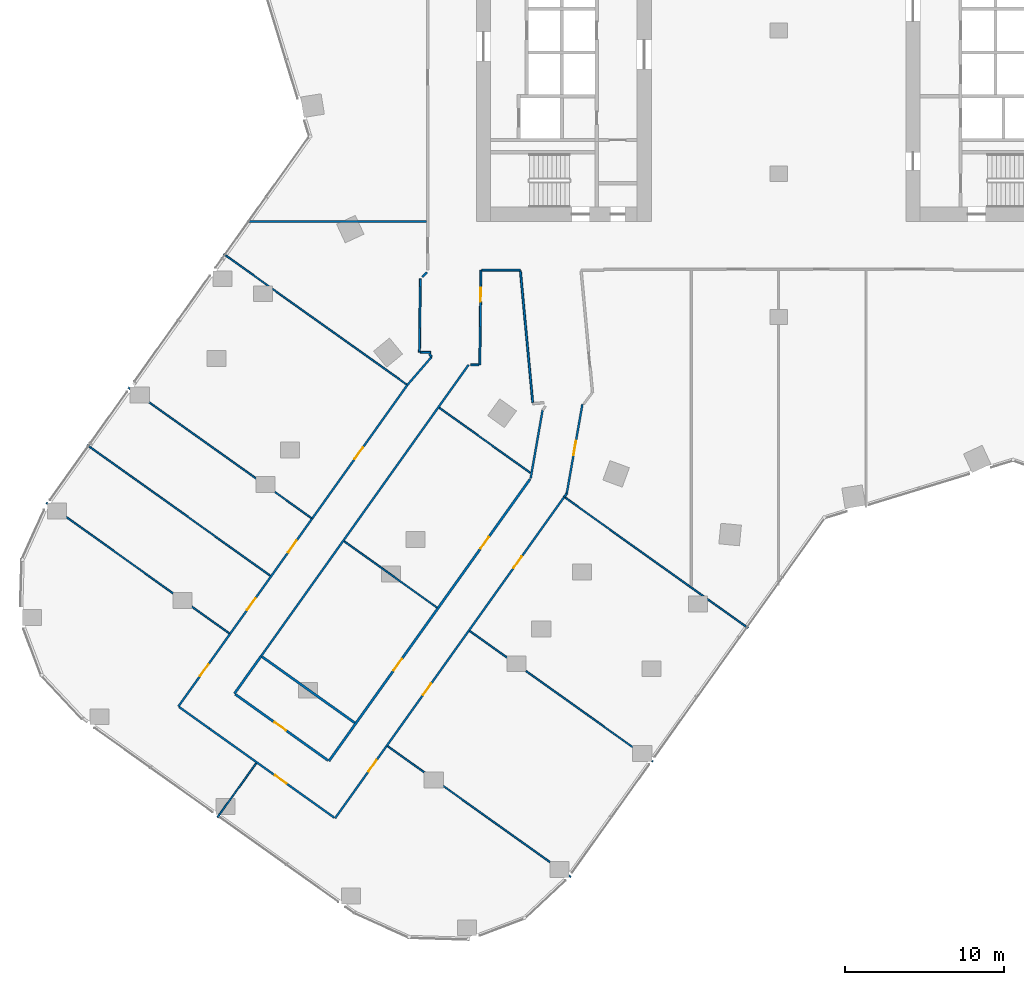
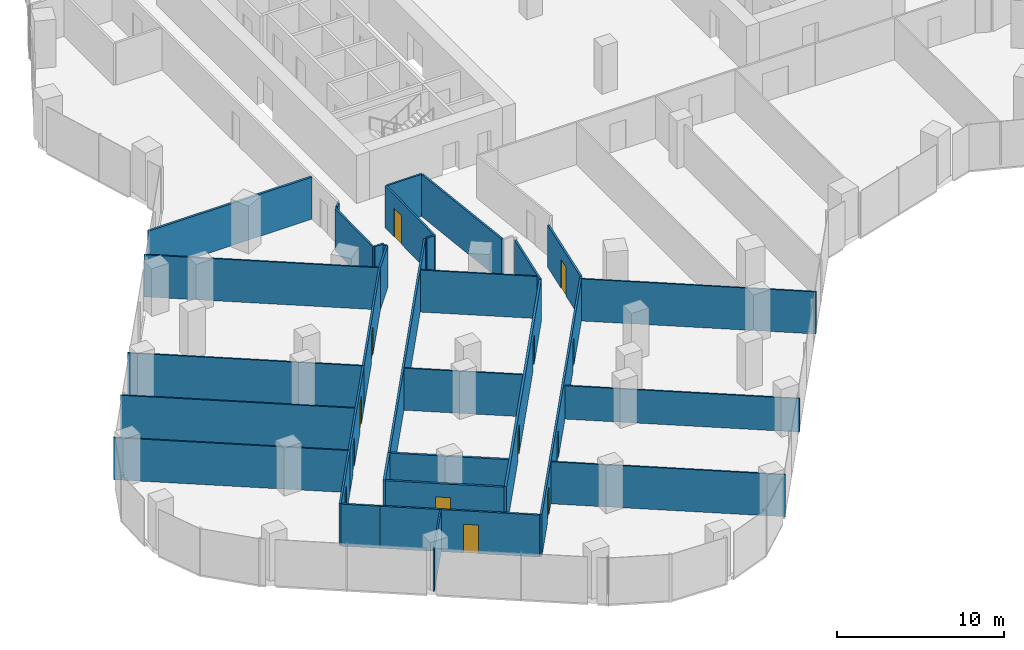
# One storey, part 23 of 31: 34 walls, 13 doors, 13 openings.
"""IFC4 building model written with IfcOpenShell, lengths in metres."""

from ifc_helpers import new_model, si_unit, direction, frame, frame_2d, origin, place, context, subcontext, project, spatial, rectangle, extrude, material, layer, layer_set, type_object, element, fill, save


model = new_model("IFC4")

# Units and contexts
model_context = context("Model", 3, precision=1e-05, world=origin(), true_north=direction((0.0, 1.0)))
body_context = subcontext(model_context, "Body", "Model", "MODEL_VIEW")
ifc_project = project(units=[si_unit("LENGTHUNIT", "METRE"), si_unit("AREAUNIT", "SQUARE_METRE"), si_unit("VOLUMEUNIT", "CUBIC_METRE"), si_unit("PLANEANGLEUNIT", "RADIAN"), si_unit("MASSUNIT", "GRAM", prefix="KILO")], contexts=[model_context])

# Site, building, storey
site_placement = place(None, origin())
site = spatial("IfcSite", under=ifc_project, at=site_placement, CompositionType="ELEMENT")
building_placement = place(site_placement, origin())
building = spatial("IfcBuilding", under=site, at=building_placement, Name="Orlundy Tower", CompositionType="ELEMENT")
storey_placement = place(building_placement, frame((0.0, 0.0, 91.199951171875)))
storey = spatial("IfcBuildingStorey", under=building, at=storey_placement, Name="L22", CompositionType="ELEMENT", Elevation=91.199951171875)

# Walls
ifc_material_1 = material(Name="Gypsum board partition")
ifc_layer_1 = layer(ifc_material_1, 0.10009765625)
ifc_layer_set_1 = layer_set([ifc_layer_1], Name="Floor partition 100")
wall_type_1 = type_object("IfcWallType", Name="Floor partition 100", PredefinedType="PARTITIONING", material=ifc_layer_set_1)
wall_1_placement = place(storey_placement, frame((-46.0439453125, -29.679931640625, 0.0), z_axis=(0.0, 0.0, 1.0), x_axis=(0.814139435618, -0.580669423486, 0.0)))
element("IfcWall", 1, at=wall_1_placement, inside=storey, type_object=wall_type_1, Name="wall-int-L22-010", PredefinedType="PARTITIONING", context=body_context, shape_type="SweptSolid", body=[
    extrude(rectangle(XDim=14.1337890625, YDim=0.10009765625, at=frame_2d((7.06689453125, 0.0))), origin(), (0.0, 0.0, 1.0), 3.080078125),
])
wall_2_placement = place(storey_placement, frame((-24.5810546875, -44.988037109375, 0.0), z_axis=(0.0, 0.0, 1.0), x_axis=(0.814126528241, -0.580687520112, 0.0)))
element("IfcWall", 2, at=wall_2_placement, inside=storey, type_object=wall_type_1, Name="wall-int-L22-012", PredefinedType="PARTITIONING", context=body_context, shape_type="SweptSolid", body=[
    extrude(rectangle(XDim=14.13671875, YDim=0.10009765625, at=frame_2d((7.068359375, 0.0))), origin(), (0.0, 0.0, 1.0), 3.080078125),
])
wall_3_placement = place(storey_placement, frame((-43.4599609375, -26.056884765625, 0.0), z_axis=(0.0, 0.0, 1.0), x_axis=(0.814102199131, -0.580721628124, 0.0)))
element("IfcWall", 3, at=wall_3_placement, inside=storey, type_object=wall_type_1, Name="wall-int-L22-013", PredefinedType="PARTITIONING", context=body_context, shape_type="SweptSolid", body=[
    extrude(rectangle(XDim=14.130859375, YDim=0.10009765625, at=frame_2d((7.0654296875, 0.0))), origin(), (0.0, 0.0, 1.0), 3.080078125),
])
wall_4_placement = place(storey_placement, frame((-40.875, -22.43310546875, 0.0), z_axis=(0.0, 0.0, 1.0), x_axis=(0.814073113892, -0.580762399987, 0.0)))
element("IfcWall", 4, at=wall_4_placement, inside=storey, type_object=wall_type_1, Name="wall-int-L22-014", PredefinedType="PARTITIONING", context=body_context, shape_type="SweptSolid", body=[
    extrude(rectangle(XDim=14.127685546875, YDim=0.10009765625, at=frame_2d((7.06396484375, 0.0))), origin(), (0.0, 0.0, 1.0), 3.080078125),
])
wall_5_placement = place(storey_placement, frame((-27.31689453125, -32.10400390625, 0.0), z_axis=(0.0, 0.0, 1.0), x_axis=(0.814119765042, -0.580697002031, 0.0)))
element("IfcWall", 5, at=wall_5_placement, inside=storey, type_object=wall_type_1, Name="wall-int-L22-015", PredefinedType="PARTITIONING", context=body_context, shape_type="SweptSolid", body=[
    extrude(rectangle(XDim=7.1708984375, YDim=0.10009765625, at=frame_2d((3.58544921875, 0.0))), origin(), (0.0, 0.0, 1.0), 3.080078125),
])
wall_6_placement = place(storey_placement, frame((-34.889892578125, -14.04296875, 0.0), z_axis=(0.0, 0.0, 1.0), x_axis=(0.814114134431, -0.580704895898, 0.0)))
element("IfcWall", 6, at=wall_6_placement, inside=storey, type_object=wall_type_1, Name="wall-int-L22-017", PredefinedType="PARTITIONING", context=body_context, shape_type="SweptSolid", body=[
    extrude(rectangle(XDim=14.12060546875, YDim=0.10009765625, at=frame_2d((7.060302734375, 0.0))), origin(), (0.0, 0.0, 1.0), 3.080078125),
])
wall_7_placement = place(storey_placement, frame((-21.3369140625, -23.708984375, 0.0), z_axis=(0.0, 0.0, 1.0), x_axis=(0.814073636445, -0.580761667507, 0.0)))
element("IfcWall", 7, at=wall_7_placement, inside=storey, type_object=wall_type_1, Name="wall-int-L22-018", PredefinedType="PARTITIONING", context=body_context, shape_type="SweptSolid", body=[
    extrude(rectangle(XDim=7.02880859375, YDim=0.10009765625, at=frame_2d((3.514404296875, 0.0))), origin(), (0.0, 0.0, 1.0), 3.080078125),
])
wall_8_placement = place(storey_placement, frame((-13.427001953125, -29.35107421875, 0.0), z_axis=(0.0, 0.0, 1.0), x_axis=(0.814070572037, -0.580765962969, 0.0)))
element("IfcWall", 8, at=wall_8_placement, inside=storey, type_object=wall_type_1, Name="wall-int-L22-019", PredefinedType="PARTITIONING", context=body_context, shape_type="SweptSolid", body=[
    extrude(rectangle(XDim=14.136474609375, YDim=0.10009765625, at=frame_2d((7.068359375, 0.0))), origin(), (0.0, 0.0, 1.0), 3.080078125),
])
wall_9_placement = place(storey_placement, frame((-35.277099609375, -49.4580078125, 0.0), z_axis=(0.0, 0.0, 1.0), x_axis=(0.580636826357, 0.814162683914, 0.0)))
element("IfcWall", 9, at=wall_9_placement, inside=storey, type_object=wall_type_1, Name="wall-int-L22-054", PredefinedType="PARTITIONING", context=body_context, shape_type="SweptSolid", body=[
    extrude(rectangle(XDim=4.18701171875, YDim=0.10009765625, at=frame_2d((2.093505859375, 0.0))), origin(), (0.0, 0.0, 1.0), 3.080078125),
])
ifc_material_2 = material(Name="Gypsum board partition")
ifc_layer_2 = layer(ifc_material_2, 0.10009765625)
ifc_layer_set_2 = layer_set([ifc_layer_2], Name="Floor partition 100 B")
wall_type_2 = type_object("IfcWallType", Name="Floor partition 100 B", PredefinedType="PARTITIONING", material=ifc_layer_set_2)
wall_10_placement = place(storey_placement, frame((-19.4130859375, -37.741943359375, 0.0), z_axis=(0.0, 0.0, 1.0), x_axis=(0.81409387042, -0.580733303801, 0.0)))
element("IfcWall", 10, at=wall_10_placement, inside=storey, type_object=wall_type_2, Name="wall-int-L22-016", PredefinedType="PARTITIONING", context=body_context, shape_type="SweptSolid", body=[
    extrude(rectangle(XDim=14.13720703125, YDim=0.10009765625, at=frame_2d((7.068603515625, 0.0))), origin(), (0.0, 0.0, 1.0), 2.445068359375),
])
ifc_material_3 = material(Name="Gypsum board partition, double layer")
ifc_layer_3 = layer(ifc_material_3, 0.125)
ifc_layer_set_3 = layer_set([ifc_layer_3], Name="Floor partition 125")
wall_type_3 = type_object("IfcWallType", Name="Floor partition 125", PredefinedType="PARTITIONING", material=ifc_layer_set_3)
wall_11_placement = place(storey_placement, frame((-16.23388671875, -15.113037109375, 0.0), z_axis=(0.0, 0.0, 1.0), x_axis=(0.093098705764, -0.995656884165, 0.0)))
element("IfcWall", 11, at=wall_11_placement, inside=storey, type_object=wall_type_3, Name="wall-int-L22-003", PredefinedType="PARTITIONING", context=body_context, shape_type="SweptSolid", body=[
    extrude(rectangle(XDim=8.31298828125, YDim=0.125, at=frame_2d((4.156494140625, 0.0))), origin(), (0.0, 0.0, 1.0), 3.080078125),
])
wall_12_placement = place(storey_placement, frame((-21.955078125, -20.330078125, 0.0), z_axis=(0.0, 0.0, 1.0), x_axis=(0.635933908165, -0.771743522451, 0.0)))
element("IfcWall", 12, at=wall_12_placement, inside=storey, type_object=wall_type_3, Name="wall-int-L22-005", PredefinedType="PARTITIONING", context=body_context, shape_type="SweptSolid", body=[
    extrude(rectangle(XDim=0.2265625, YDim=0.125, at=frame_2d((0.11328125, 0.0))), origin(), (0.0, 0.0, 1.0), 3.080078125),
])
wall_13_placement = place(storey_placement, frame((-37.68505859375, -42.52099609375, 0.0), z_axis=(0.0, 0.0, 1.0), x_axis=(0.81441767076, -0.580279120385, 0.0)))
element("IfcWall", 13, at=wall_13_placement, inside=storey, type_object=wall_type_3, Name="wall-int-L22-007", PredefinedType="PARTITIONING", context=body_context, shape_type="SweptSolid", body=[
    extrude(rectangle(XDim=2.336669921875, YDim=0.125, at=frame_2d((1.16845703125, 0.0))), origin(), (0.0, 0.0, 1.0), 3.080078125),
])

# Wall, opening, door
wall_14_placement = place(storey_placement, frame((-27.93798828125, -49.472900390625, 0.0), z_axis=(0.0, 0.0, 1.0), x_axis=(-0.814120225936, 0.580696355871, 0.0)))
wall_14 = element("IfcWall", 14, at=wall_14_placement, inside=storey, type_object=wall_type_3, Name="wall-int-L22-008", PredefinedType="PARTITIONING", context=body_context, shape_type="SweptSolid", body=[
    extrude(rectangle(XDim=9.635009765625, YDim=0.125, at=frame_2d((4.8173828125, 0.0))), origin(), (0.0, 0.0, 1.0), 3.080078125),
])
opening_1_placement = place(wall_14_placement, frame((3.68408203125, 0.0, 0.0)))
opening_1 = element("IfcOpeningElement", 15, at=opening_1_placement, cuts=wall_14, Name="Opening 18114", PredefinedType="OPENING", context=body_context, shape_type="SweptSolid", body=[
    extrude(rectangle(XDim=0.89990234375, YDim=2.10009765625, at=frame_2d((0.449951171875, 1.050048828125))), frame((0.0, 0.072509765625, 0.0), z_axis=(0.0, -1.0, 0.0), x_axis=(1.0, 0.0, 0.0)), (0.0, 0.0, 1.0), 0.14501953125),
])
ifc_material_4 = material(Name="Timber door leaf", Category="wood")
door_type_1 = type_object("IfcDoorType", Name="Floor door single 900 FD30S", OperationType="NOTDEFINED", PredefinedType="DOOR", material=ifc_material_4)
door_1_placement = place(opening_1_placement, origin())
door_1 = element("IfcDoor", 16, at=door_1_placement, inside=storey, type_object=door_type_1, Name="Door 18114", OperationType="SINGLE_SWING_LEFT", OverallHeight=2.10009765625, OverallWidth=0.89990234375, PredefinedType="DOOR", context=body_context, shape_type="SweptSolid", body=[
    extrude(rectangle(XDim=0.89990234375, YDim=2.10009765625, at=frame_2d((0.449951171875, 1.050048828125))), frame((0.0, 0.02490234375, 0.0), z_axis=(0.0, -1.0, 0.0), x_axis=(1.0, 0.0, 0.0)), (0.0, 0.0, 1.0), 0.050048828125),
])
fill(opening_1, door_1)

# Walls
wall_15_placement = place(storey_placement, frame((-19.367919921875, -21.006103515625, 0.0), z_axis=(0.0, 0.0, 1.0), x_axis=(0.999935744707, -0.011336068906, 0.0)))
element("IfcWall", 17, at=wall_15_placement, inside=storey, type_object=wall_type_3, Name="wall-int-L22-029", PredefinedType="PARTITIONING", context=body_context, shape_type="SweptSolid", body=[
    extrude(rectangle(XDim=0.516845703125, YDim=0.125, at=frame_2d((0.25830078125, 0.0))), origin(), (0.0, 0.0, 1.0), 3.080078125),
])
wall_16_placement = place(storey_placement, frame((-22.51708984375, -20.217041015625, 0.0), z_axis=(0.0, 0.0, 1.0), x_axis=(0.99993827732, -0.011110425304, 0.0)))
element("IfcWall", 18, at=wall_16_placement, inside=storey, type_object=wall_type_3, Name="wall-int-L22-030", PredefinedType="PARTITIONING", context=body_context, shape_type="SweptSolid", body=[
    extrude(rectangle(XDim=0.63720703125, YDim=0.125, at=frame_2d((0.318603515625, 0.0))), origin(), (0.0, 0.0, 1.0), 3.080078125),
])
wall_17_placement = place(storey_placement, frame((-18.654052734375, -15.051025390625, 0.0), z_axis=(0.0, 0.0, 1.0), x_axis=(1.0, 0.0, 0.0)))
element("IfcWall", 19, at=wall_17_placement, inside=storey, type_object=wall_type_3, Name="wall-int-L22-031", PredefinedType="PARTITIONING", context=body_context, shape_type="SweptSolid", body=[
    extrude(rectangle(XDim=2.4140625, YDim=0.125, at=frame_2d((1.20703125, 0.0))), origin(), (0.0, 0.0, 1.0), 3.080078125),
])
wall_18_placement = place(storey_placement, frame((-21.81103515625, -20.5048828125, 0.0), z_axis=(0.0, 0.0, 1.0), x_axis=(-0.65355749983, -0.756876868728, 0.0)))
element("IfcWall", 20, at=wall_18_placement, inside=storey, type_object=wall_type_3, Name="wall-int-L22-047", PredefinedType="PARTITIONING", context=body_context, shape_type="SweptSolid", body=[
    extrude(rectangle(XDim=2.343994140625, YDim=0.125, at=frame_2d((1.171875, 0.0))), origin(), (0.0, 0.0, 1.0), 3.080078125),
])
wall_19_placement = place(storey_placement, frame((-22.39501953125, -15.48388671875, 0.0), z_axis=(0.0, 0.0, 1.0), x_axis=(0.712030137996, 0.702148903428, 0.0)))
element("IfcWall", 21, at=wall_19_placement, inside=storey, type_object=wall_type_3, Name="wall-int-L22-048", PredefinedType="PARTITIONING", context=body_context, shape_type="SweptSolid", body=[
    extrude(rectangle(XDim=0.419921875, YDim=0.125, at=frame_2d((0.2099609375, 0.0))), origin(), (0.0, 0.0, 1.0), 3.080078125),
])
wall_20_placement = place(storey_placement, frame((-13.47802734375, -29.31494140625, 0.0), z_axis=(0.0, 0.0, 1.0), x_axis=(0.581578261401, 0.813490458374, 0.0)))
element("IfcWall", 22, at=wall_20_placement, inside=storey, type_object=wall_type_3, Name="wall-int-L22-051", PredefinedType="PARTITIONING", context=body_context, shape_type="SweptSolid", body=[
    extrude(rectangle(XDim=0.271484375, YDim=0.125, at=frame_2d((0.1357421875, 0.0))), origin(), (0.0, 0.0, 1.0), 3.080078125),
])

# Wall, openings, doors
wall_21_placement = place(storey_placement, frame((-13.47998046875, -29.31201171875, 0.0), z_axis=(0.0, 0.0, 1.0), x_axis=(-0.580603145907, -0.814186702767, 0.0)))
wall_21 = element("IfcWall", 23, at=wall_21_placement, inside=storey, type_object=wall_type_3, Name="wall-int-L22-052", PredefinedType="PARTITIONING", context=body_context, shape_type="SweptSolid", body=[
    extrude(rectangle(XDim=24.808837890625, YDim=0.125, at=frame_2d((12.404296875, 0.0))), origin(), (0.0, 0.0, 1.0), 3.080078125),
])
opening_2_placement = place(wall_21_placement, frame((4.60107421875, 0.0, 0.0)))
opening_2 = element("IfcOpeningElement", 24, at=opening_2_placement, cuts=wall_21, Name="Opening 18109", PredefinedType="OPENING", context=body_context, shape_type="SweptSolid", body=[
    extrude(rectangle(XDim=0.89990234375, YDim=2.10009765625, at=frame_2d((0.449951171875, 1.050048828125))), frame((0.0, 0.072509765625, 0.0), z_axis=(0.0, -1.0, 0.0), x_axis=(1.0, 0.0, 0.0)), (0.0, 0.0, 1.0), 0.14501953125),
])
opening_3_placement = place(wall_21_placement, frame((14.408447265625, 0.0, 0.0)))
opening_3 = element("IfcOpeningElement", 25, at=opening_3_placement, cuts=wall_21, Name="Opening 18110", PredefinedType="OPENING", context=body_context, shape_type="SweptSolid", body=[
    extrude(rectangle(XDim=0.89990234375, YDim=2.10009765625, at=frame_2d((0.449951171875, 1.050048828125))), frame((0.0, 0.072509765625, 0.0), z_axis=(0.0, -1.0, 0.0), x_axis=(1.0, 0.0, 0.0)), (0.0, 0.0, 1.0), 0.14501953125),
])
opening_4_placement = place(wall_21_placement, frame((20.30859375, 0.0, 0.0)))
opening_4 = element("IfcOpeningElement", 26, at=opening_4_placement, cuts=wall_21, Name="Opening 18115", PredefinedType="OPENING", context=body_context, shape_type="SweptSolid", body=[
    extrude(rectangle(XDim=0.89990234375, YDim=2.10009765625, at=frame_2d((0.449951171875, 1.050048828125))), frame((0.0, 0.072509765625, 0.0), z_axis=(0.0, -1.0, 0.0), x_axis=(1.0, 0.0, 0.0)), (0.0, 0.0, 1.0), 0.14501953125),
])
door_2_placement = place(opening_2_placement, origin())
door_2 = element("IfcDoor", 27, at=door_2_placement, inside=storey, type_object=door_type_1, Name="Door 18109", OperationType="SINGLE_SWING_LEFT", OverallHeight=2.10009765625, OverallWidth=0.89990234375, PredefinedType="DOOR", context=body_context, shape_type="SweptSolid", body=[
    extrude(rectangle(XDim=0.89990234375, YDim=2.10009765625, at=frame_2d((0.449951171875, 1.050048828125))), frame((0.0, 0.02490234375, 0.0), z_axis=(0.0, -1.0, 0.0), x_axis=(1.0, 0.0, 0.0)), (0.0, 0.0, 1.0), 0.050048828125),
])
fill(opening_2, door_2)
door_3_placement = place(opening_3_placement, origin())
door_3 = element("IfcDoor", 28, at=door_3_placement, inside=storey, type_object=door_type_1, Name="Door 18110", OperationType="SINGLE_SWING_RIGHT", OverallHeight=2.10009765625, OverallWidth=0.89990234375, PredefinedType="DOOR", context=body_context, shape_type="SweptSolid", body=[
    extrude(rectangle(XDim=0.89990234375, YDim=2.10009765625, at=frame_2d((0.449951171875, 1.050048828125))), frame((0.0, 0.02490234375, 0.0), z_axis=(0.0, -1.0, 0.0), x_axis=(1.0, 0.0, 0.0)), (0.0, 0.0, 1.0), 0.050048828125),
])
fill(opening_3, door_3)
door_4_placement = place(opening_4_placement, origin())
door_4 = element("IfcDoor", 29, at=door_4_placement, inside=storey, type_object=door_type_1, Name="Door 18115", OperationType="SINGLE_SWING_RIGHT", OverallHeight=2.10009765625, OverallWidth=0.89990234375, PredefinedType="DOOR", context=body_context, shape_type="SweptSolid", body=[
    extrude(rectangle(XDim=0.89990234375, YDim=2.10009765625, at=frame_2d((0.449951171875, 1.050048828125))), frame((0.0, 0.02490234375, 0.0), z_axis=(0.0, -1.0, 0.0), x_axis=(1.0, 0.0, 0.0)), (0.0, 0.0, 1.0), 0.050048828125),
])
fill(opening_4, door_4)

# Wall
wall_22_placement = place(storey_placement, frame((-32.531982421875, -39.31689453125, 0.0), z_axis=(0.0, 0.0, 1.0), x_axis=(0.58017556932, 0.814491441799, 0.0)))
element("IfcWall", 30, at=wall_22_placement, inside=storey, type_object=wall_type_3, Name="wall-int-L22-055", PredefinedType="PARTITIONING", context=body_context, shape_type="SweptSolid", body=[
    extrude(rectangle(XDim=22.482666015625, YDim=0.125, at=frame_2d((11.2412109375, 0.0))), origin(), (0.0, 0.0, 1.0), 3.080078125),
])

# Wall, opening, door
wall_23_placement = place(storey_placement, frame((-37.736083984375, -42.485107421875, 0.0), z_axis=(0.0, 0.0, 1.0), x_axis=(0.580223472601, 0.814457317385, 0.0)))
wall_23 = element("IfcWall", 31, at=wall_23_placement, inside=storey, type_object=wall_type_3, Name="wall-int-L22-057", PredefinedType="PARTITIONING", context=body_context, shape_type="SweptSolid", body=[
    extrude(rectangle(XDim=5.601318359375, YDim=0.125, at=frame_2d((2.80078125, 0.0))), origin(), (0.0, 0.0, 1.0), 3.080078125),
])
opening_5_placement = place(wall_23_placement, frame((2.35009765625, 0.0, 0.0)))
opening_5 = element("IfcOpeningElement", 32, at=opening_5_placement, cuts=wall_23, Name="Opening 18116", PredefinedType="OPENING", context=body_context, shape_type="SweptSolid", body=[
    extrude(rectangle(XDim=0.89990234375, YDim=2.10009765625, at=frame_2d((0.449951171875, 1.050048828125))), frame((0.0, 0.072509765625, 0.0), z_axis=(0.0, -1.0, 0.0), x_axis=(1.0, 0.0, 0.0)), (0.0, 0.0, 1.0), 0.14501953125),
])
door_5_placement = place(opening_5_placement, origin())
door_5 = element("IfcDoor", 33, at=door_5_placement, inside=storey, type_object=door_type_1, Name="Door 18116", OperationType="SINGLE_SWING_LEFT", OverallHeight=2.10009765625, OverallWidth=0.89990234375, PredefinedType="DOOR", context=body_context, shape_type="SweptSolid", body=[
    extrude(rectangle(XDim=0.89990234375, YDim=2.10009765625, at=frame_2d((0.449951171875, 1.050048828125))), frame((0.0, 0.02490234375, 0.0), z_axis=(0.0, -1.0, 0.0), x_axis=(1.0, 0.0, 0.0)), (0.0, 0.0, 1.0), 0.050048828125),
])
fill(opening_5, door_5)

wall_24_placement = place(storey_placement, frame((-29.322998046875, -30.674072265625, 0.0), z_axis=(0.0, 0.0, 1.0), x_axis=(0.580180127153, 0.814488195161, 0.0)))
wall_24 = element("IfcWall", 34, at=wall_24_placement, inside=storey, type_object=wall_type_3, Name="wall-int-L22-058", PredefinedType="PARTITIONING", context=body_context, shape_type="SweptSolid", body=[
    extrude(rectangle(XDim=10.30712890625, YDim=0.125, at=frame_2d((5.153564453125, 0.0))), origin(), (0.0, 0.0, 1.0), 3.080078125),
])
opening_6_placement = place(wall_24_placement, frame((4.60009765625, 0.0, 0.0)))
opening_6 = element("IfcOpeningElement", 35, at=opening_6_placement, cuts=wall_24, Name="Opening 18117", PredefinedType="OPENING", context=body_context, shape_type="SweptSolid", body=[
    extrude(rectangle(XDim=0.89990234375, YDim=2.10009765625, at=frame_2d((0.449951171875, 1.050048828125))), frame((0.0, 0.072509765625, 0.0), z_axis=(0.0, -1.0, 0.0), x_axis=(1.0, 0.0, 0.0)), (0.0, 0.0, 1.0), 0.14501953125),
])
door_6_placement = place(opening_6_placement, origin())
door_6 = element("IfcDoor", 36, at=door_6_placement, inside=storey, type_object=door_type_1, Name="Door 18117", OperationType="SINGLE_SWING_LEFT", OverallHeight=2.10009765625, OverallWidth=0.89990234375, PredefinedType="DOOR", context=body_context, shape_type="SweptSolid", body=[
    extrude(rectangle(XDim=0.89990234375, YDim=2.10009765625, at=frame_2d((0.449951171875, 1.050048828125))), frame((0.0, 0.02490234375, 0.0), z_axis=(0.0, -1.0, 0.0), x_axis=(1.0, 0.0, 0.0)), (0.0, 0.0, 1.0), 0.050048828125),
])
fill(opening_6, door_6)

# Wall, openings, doors
wall_25_placement = place(storey_placement, frame((-34.486083984375, -37.923095703125, 0.0), z_axis=(0.0, 0.0, 1.0), x_axis=(0.580137406413, 0.814518624514, 0.0)))
wall_25 = element("IfcWall", 37, at=wall_25_placement, inside=storey, type_object=wall_type_3, Name="wall-int-L22-059", PredefinedType="PARTITIONING", context=body_context, shape_type="SweptSolid", body=[
    extrude(rectangle(XDim=8.899658203125, YDim=0.125, at=frame_2d((4.44970703125, 0.0))), origin(), (0.0, 0.0, 1.0), 3.080078125),
])
opening_7_placement = place(wall_25_placement, frame((6.29931640625, 0.0, 0.0)))
opening_7 = element("IfcOpeningElement", 38, at=opening_7_placement, cuts=wall_25, Name="Opening 18118", PredefinedType="OPENING", context=body_context, shape_type="SweptSolid", body=[
    extrude(rectangle(XDim=0.89990234375, YDim=2.10009765625, at=frame_2d((0.449951171875, 1.050048828125))), frame((0.0, 0.072509765625, 0.0), z_axis=(0.0, -1.0, 0.0), x_axis=(1.0, 0.0, 0.0)), (0.0, 0.0, 1.0), 0.14501953125),
])
opening_8_placement = place(wall_25_placement, frame((1.85009765625, 0.0, 0.0)))
opening_8 = element("IfcOpeningElement", 39, at=opening_8_placement, cuts=wall_25, Name="Opening 18119", PredefinedType="OPENING", context=body_context, shape_type="SweptSolid", body=[
    extrude(rectangle(XDim=0.89990234375, YDim=2.10009765625, at=frame_2d((0.449951171875, 1.050048828125))), frame((0.0, 0.072509765625, 0.0), z_axis=(0.0, -1.0, 0.0), x_axis=(1.0, 0.0, 0.0)), (0.0, 0.0, 1.0), 0.14501953125),
])
door_7_placement = place(opening_7_placement, origin())
door_7 = element("IfcDoor", 40, at=door_7_placement, inside=storey, type_object=door_type_1, Name="Door 18118", OperationType="SINGLE_SWING_RIGHT", OverallHeight=2.10009765625, OverallWidth=0.89990234375, PredefinedType="DOOR", context=body_context, shape_type="SweptSolid", body=[
    extrude(rectangle(XDim=0.89990234375, YDim=2.10009765625, at=frame_2d((0.449951171875, 1.050048828125))), frame((0.0, 0.02490234375, 0.0), z_axis=(0.0, -1.0, 0.0), x_axis=(1.0, 0.0, 0.0)), (0.0, 0.0, 1.0), 0.050048828125),
])
fill(opening_7, door_7)
door_8_placement = place(opening_8_placement, origin())
door_8 = element("IfcDoor", 41, at=door_8_placement, inside=storey, type_object=door_type_1, Name="Door 18119", OperationType="SINGLE_SWING_LEFT", OverallHeight=2.10009765625, OverallWidth=0.89990234375, PredefinedType="DOOR", context=body_context, shape_type="SweptSolid", body=[
    extrude(rectangle(XDim=0.89990234375, YDim=2.10009765625, at=frame_2d((0.449951171875, 1.050048828125))), frame((0.0, 0.02490234375, 0.0), z_axis=(0.0, -1.0, 0.0), x_axis=(1.0, 0.0, 0.0)), (0.0, 0.0, 1.0), 0.050048828125),
])
fill(opening_8, door_8)

# Wall, opening, door
wall_26_placement = place(storey_placement, frame((-12.3369140625, -23.48388671875, 0.0), z_axis=(0.0, 0.0, 1.0), x_axis=(-0.172645513087, -0.984984023632, 0.0)))
wall_26 = element("IfcWall", 42, at=wall_26_placement, inside=storey, type_object=wall_type_3, Name="wall-int-L22-071", PredefinedType="PARTITIONING", context=body_context, shape_type="SweptSolid", body=[
    extrude(rectangle(XDim=5.694580078125, YDim=0.125, at=frame_2d((2.84716796875, 0.0))), origin(), (0.0, 0.0, 1.0), 3.080078125),
])
opening_9_placement = place(wall_26_placement, frame((2.35009765625, 0.0, 0.0)))
opening_9 = element("IfcOpeningElement", 43, at=opening_9_placement, cuts=wall_26, Name="Opening 18123", PredefinedType="OPENING", context=body_context, shape_type="SweptSolid", body=[
    extrude(rectangle(XDim=0.89990234375, YDim=2.10009765625, at=frame_2d((0.449951171875, 1.050048828125))), frame((0.0, 0.072509765625, 0.0), z_axis=(0.0, -1.0, 0.0), x_axis=(1.0, 0.0, 0.0)), (0.0, 0.0, 1.0), 0.14501953125),
])
door_9_placement = place(opening_9_placement, origin())
door_9 = element("IfcDoor", 44, at=door_9_placement, inside=storey, type_object=door_type_1, Name="Door 18123", OperationType="SINGLE_SWING_LEFT", OverallHeight=2.10009765625, OverallWidth=0.89990234375, PredefinedType="DOOR", context=body_context, shape_type="SweptSolid", body=[
    extrude(rectangle(XDim=0.89990234375, YDim=2.10009765625, at=frame_2d((0.449951171875, 1.050048828125))), frame((0.0, 0.02490234375, 0.0), z_axis=(0.0, -1.0, 0.0), x_axis=(1.0, 0.0, 0.0)), (0.0, 0.0, 1.0), 0.050048828125),
])
fill(opening_9, door_9)

# Wall
wall_27_placement = place(storey_placement, frame((-14.840087890625, -23.85693359375, 0.0), z_axis=(0.0, 0.0, 1.0), x_axis=(-0.172581751395, -0.984995197494, 0.0)))
element("IfcWall", 45, at=wall_27_placement, inside=storey, type_object=wall_type_3, Name="wall-int-L22-072", PredefinedType="PARTITIONING", context=body_context, shape_type="SweptSolid", body=[
    extrude(rectangle(XDim=4.351318359375, YDim=0.125, at=frame_2d((2.17578125, 0.0))), origin(), (0.0, 0.0, 1.0), 3.080078125),
])

# Wall, opening, door
wall_28_placement = place(storey_placement, frame((-18.716064453125, -15.050048828125, 0.0), z_axis=(0.0, 0.0, 1.0), x_axis=(-0.012077402732, -0.999927065512, 0.0)))
wall_28 = element("IfcWall", 46, at=wall_28_placement, inside=storey, type_object=wall_type_3, Name="wall-int-L22-073", PredefinedType="PARTITIONING", context=body_context, shape_type="SweptSolid", body=[
    extrude(rectangle(XDim=5.96337890625, YDim=0.125, at=frame_2d((2.981689453125, 0.0))), origin(), (0.0, 0.0, 1.0), 3.080078125),
])
opening_10_placement = place(wall_28_placement, frame((1.10107421875, 0.0, 0.0)))
opening_10 = element("IfcOpeningElement", 47, at=opening_10_placement, cuts=wall_28, Name="Opening 18122", PredefinedType="OPENING", context=body_context, shape_type="SweptSolid", body=[
    extrude(rectangle(XDim=0.89990234375, YDim=2.10009765625, at=frame_2d((0.449951171875, 1.050048828125))), frame((0.0, 0.072509765625, 0.0), z_axis=(0.0, -1.0, 0.0), x_axis=(1.0, 0.0, 0.0)), (0.0, 0.0, 1.0), 0.14501953125),
])
door_10_placement = place(opening_10_placement, origin())
door_10 = element("IfcDoor", 48, at=door_10_placement, inside=storey, type_object=door_type_1, Name="Door 18122", OperationType="SINGLE_SWING_LEFT", OverallHeight=2.10009765625, OverallWidth=0.89990234375, PredefinedType="DOOR", context=body_context, shape_type="SweptSolid", body=[
    extrude(rectangle(XDim=0.89990234375, YDim=2.10009765625, at=frame_2d((0.449951171875, 1.050048828125))), frame((0.0, 0.02490234375, 0.0), z_axis=(0.0, -1.0, 0.0), x_axis=(1.0, 0.0, 0.0)), (0.0, 0.0, 1.0), 0.050048828125),
])
fill(opening_10, door_10)

# Wall
wall_29_placement = place(storey_placement, frame((-22.580078125, -20.216064453125, 0.0), z_axis=(0.0, 0.0, 1.0), x_axis=(0.011952390981, 0.999928567624, 0.0)))
element("IfcWall", 49, at=wall_29_placement, inside=storey, type_object=wall_type_3, Name="wall-int-L22-074", PredefinedType="PARTITIONING", context=body_context, shape_type="SweptSolid", body=[
    extrude(rectangle(XDim=4.6162109375, YDim=0.125, at=frame_2d((2.30810546875, 0.0))), origin(), (0.0, 0.0, 1.0), 3.080078125),
])

# Wall, opening, door
ifc_material_5 = material(Name="Blockwork shaft wall", Category="masonry")
ifc_layer_4 = layer(ifc_material_5, 0.14990234375)
ifc_layer_set_4 = layer_set([ifc_layer_4], Name="Floor shaft wall 150")
wall_type_4 = type_object("IfcWallType", Name="Floor shaft wall 150", PredefinedType="PARTITIONING", material=ifc_layer_set_4)
wall_30_placement = place(storey_placement, frame((-34.153076171875, -41.722900390625, 0.0), z_axis=(0.0, 0.0, 1.0), x_axis=(0.814226878362, -0.580546803069, 0.0)))
wall_30 = element("IfcWall", 50, at=wall_30_placement, inside=storey, type_object=wall_type_4, Name="wall-int-L22-009", PredefinedType="PARTITIONING", context=body_context, shape_type="SweptSolid", body=[
    extrude(rectangle(XDim=7.150390625, YDim=0.14990234375, at=frame_2d((3.5751953125, 0.0))), origin(), (0.0, 0.0, 1.0), 3.080078125),
])
opening_11_placement = place(wall_30_placement, frame((3.02490234375, 0.0, 0.0)))
opening_11 = element("IfcOpeningElement", 51, at=opening_11_placement, cuts=wall_30, Name="Opening 18113", PredefinedType="OPENING", context=body_context, shape_type="SweptSolid", body=[
    extrude(rectangle(XDim=0.89990234375, YDim=2.10009765625, at=frame_2d((0.449951171875, 1.050048828125))), frame((0.0, 0.0849609375, 0.0), z_axis=(0.0, -1.0, 0.0), x_axis=(1.0, 0.0, 0.0)), (0.0, 0.0, 1.0), 0.169921875),
])
ifc_material_6 = material(Name="Timber door leaf", Category="wood")
door_type_2 = type_object("IfcDoorType", Name="Floor door single 900 FD60", OperationType="NOTDEFINED", PredefinedType="DOOR", material=ifc_material_6)
door_11_placement = place(opening_11_placement, origin())
door_11 = element("IfcDoor", 52, at=door_11_placement, inside=storey, type_object=door_type_2, Name="Door 18113", OperationType="SINGLE_SWING_LEFT", OverallHeight=2.10009765625, OverallWidth=0.89990234375, PredefinedType="DOOR", context=body_context, shape_type="SweptSolid", body=[
    extrude(rectangle(XDim=0.89990234375, YDim=2.10009765625, at=frame_2d((0.449951171875, 1.050048828125))), frame((0.0, 0.02490234375, 0.0), z_axis=(0.0, -1.0, 0.0), x_axis=(1.0, 0.0, 0.0)), (0.0, 0.0, 1.0), 0.050048828125),
])
fill(opening_11, door_11)

# Walls
wall_31_placement = place(storey_placement, frame((-32.470947265625, -39.361083984375, 0.0), z_axis=(0.0, 0.0, 1.0), x_axis=(0.814159942616, -0.580640670156, 0.0)))
element("IfcWall", 53, at=wall_31_placement, inside=storey, type_object=wall_type_4, Name="wall-int-L22-011", PredefinedType="PARTITIONING", context=body_context, shape_type="SweptSolid", body=[
    extrude(rectangle(XDim=7.152099609375, YDim=0.14990234375, at=frame_2d((3.576171875, 0.0))), origin(), (0.0, 0.0, 1.0), 3.080078125),
])
wall_32_placement = place(storey_placement, frame((-33.43310546875, -12.0, 0.0), z_axis=(0.0, 0.0, 1.0), x_axis=(1.0, 0.0, 0.0)))
element("IfcWall", 54, at=wall_32_placement, inside=storey, type_object=wall_type_4, Name="wall-int-L22-035", PredefinedType="PARTITIONING", context=body_context, shape_type="SweptSolid", body=[
    extrude(rectangle(XDim=11.30810546875, YDim=0.14990234375, at=frame_2d((5.654052734375, 0.0))), origin(), (0.0, 0.0, 1.0), 3.080078125),
])

# Wall, openings, doors
wall_33_placement = place(storey_placement, frame((-28.27001953125, -45.91796875, 0.0), z_axis=(0.0, 0.0, 1.0), x_axis=(0.580618548841, 0.81417571859, 0.0)))
wall_33 = element("IfcWall", 55, at=wall_33_placement, inside=storey, type_object=wall_type_4, Name="wall-int-L22-053", PredefinedType="PARTITIONING", context=body_context, shape_type="SweptSolid", body=[
    extrude(rectangle(XDim=21.771728515625, YDim=0.14990234375, at=frame_2d((10.8857421875, 0.0))), origin(), (0.0, 0.0, 1.0), 3.080078125),
])
opening_12_placement = place(wall_33_placement, frame((16.3994140625, 0.0, 0.0)))
opening_12 = element("IfcOpeningElement", 56, at=opening_12_placement, cuts=wall_33, Name="Opening 18111", PredefinedType="OPENING", context=body_context, shape_type="SweptSolid", body=[
    extrude(rectangle(XDim=0.89990234375, YDim=2.10009765625, at=frame_2d((0.449951171875, 1.050048828125))), frame((0.0, 0.0849609375, 0.0), z_axis=(0.0, -1.0, 0.0), x_axis=(1.0, 0.0, 0.0)), (0.0, 0.0, 1.0), 0.169921875),
])
opening_13_placement = place(wall_33_placement, frame((6.99853515625, 0.0, 0.0)))
opening_13 = element("IfcOpeningElement", 57, at=opening_13_placement, cuts=wall_33, Name="Opening 18112", PredefinedType="OPENING", context=body_context, shape_type="SweptSolid", body=[
    extrude(rectangle(XDim=0.89990234375, YDim=2.10009765625, at=frame_2d((0.449951171875, 1.050048828125))), frame((0.0, 0.0849609375, 0.0), z_axis=(0.0, -1.0, 0.0), x_axis=(1.0, 0.0, 0.0)), (0.0, 0.0, 1.0), 0.169921875),
])
door_12_placement = place(opening_12_placement, origin())
door_12 = element("IfcDoor", 58, at=door_12_placement, inside=storey, type_object=door_type_2, Name="Door 18111", OperationType="SINGLE_SWING_RIGHT", OverallHeight=2.10009765625, OverallWidth=0.89990234375, PredefinedType="DOOR", context=body_context, shape_type="SweptSolid", body=[
    extrude(rectangle(XDim=0.89990234375, YDim=2.10009765625, at=frame_2d((0.449951171875, 1.050048828125))), frame((0.0, 0.02490234375, 0.0), z_axis=(0.0, -1.0, 0.0), x_axis=(1.0, 0.0, 0.0)), (0.0, 0.0, 1.0), 0.050048828125),
])
fill(opening_12, door_12)
door_13_placement = place(opening_13_placement, origin())
door_13 = element("IfcDoor", 59, at=door_13_placement, inside=storey, type_object=door_type_2, Name="Door 18112", OperationType="SINGLE_SWING_LEFT", OverallHeight=2.10009765625, OverallWidth=0.89990234375, PredefinedType="DOOR", context=body_context, shape_type="SweptSolid", body=[
    extrude(rectangle(XDim=0.89990234375, YDim=2.10009765625, at=frame_2d((0.449951171875, 1.050048828125))), frame((0.0, 0.02490234375, 0.0), z_axis=(0.0, -1.0, 0.0), x_axis=(1.0, 0.0, 0.0)), (0.0, 0.0, 1.0), 0.050048828125),
])
fill(opening_13, door_13)

# Wall
wall_34_placement = place(storey_placement, frame((-34.214111328125, -41.678955078125, 0.0), z_axis=(0.0, 0.0, 1.0), x_axis=(0.580082812888, 0.814557505761, 0.0)))
element("IfcWall", 60, at=wall_34_placement, inside=storey, type_object=wall_type_4, Name="wall-int-L22-056", PredefinedType="PARTITIONING", context=body_context, shape_type="SweptSolid", body=[
    extrude(rectangle(XDim=2.89990234375, YDim=0.14990234375, at=frame_2d((1.449951171875, 0.0))), origin(), (0.0, 0.0, 1.0), 3.080078125),
])

save(model, "model.ifc")
